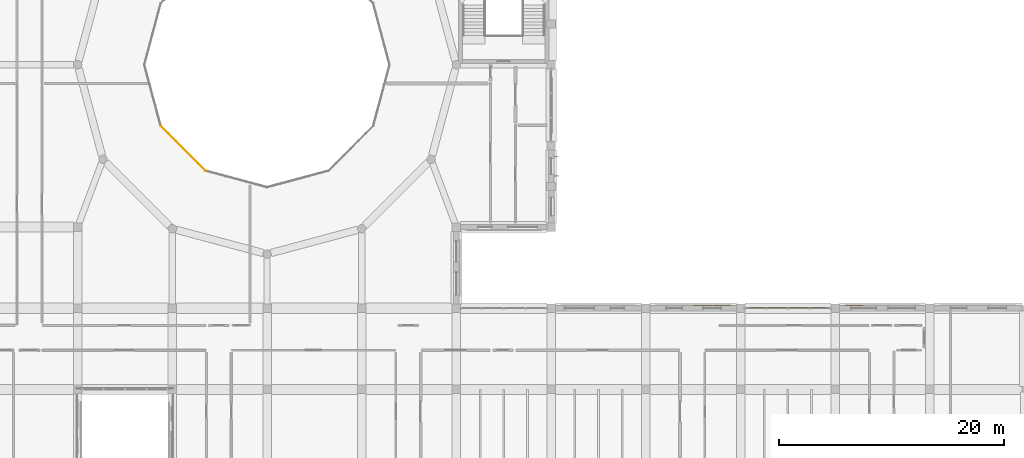
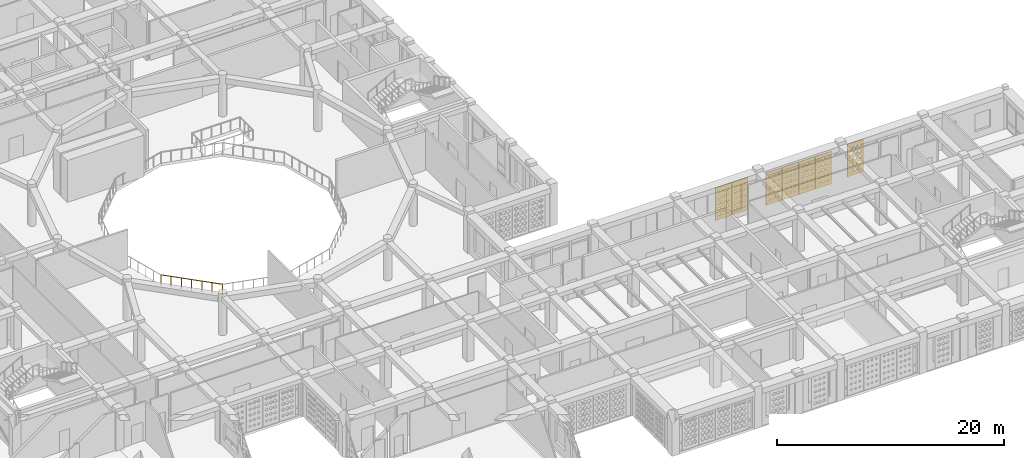
# One storey, part 90 of 111: 7 coverings, 1 railing.
"""IFC4 building model written with IfcOpenShell, lengths in metres."""

from ifc_helpers import new_model, si_unit, derived_unit, direction, frame, origin, origin_2d, place, context, subcontext, project, spatial, polyline, circle, outline, extrude, material, layer, layer_set, type_object, element, save


model = new_model("IFC4")

# Units and contexts
model_context = context("Model", 3, precision=1e-05, world=origin(), true_north=direction((0.0, 1.0)))
body_context = subcontext(model_context, "Body", "Model", "MODEL_VIEW")
ifc_project = project(units=[si_unit("LENGTHUNIT", "METRE"), si_unit("AREAUNIT", "SQUARE_METRE"), si_unit("VOLUMEUNIT", "CUBIC_METRE"), si_unit("PLANEANGLEUNIT", "RADIAN"), si_unit("MASSUNIT", "GRAM", prefix="KILO"), derived_unit("THERMALTRANSMITTANCEUNIT", [(si_unit("POWERUNIT", "WATT"), 1), (si_unit("LENGTHUNIT", "METRE"), -2), (si_unit("THERMODYNAMICTEMPERATUREUNIT", "KELVIN"), -1)])], contexts=[model_context])

# Site, building, storey
site_placement = place(None, origin())
site = spatial("IfcSite", under=ifc_project, at=site_placement, CompositionType="ELEMENT")
building_placement = place(site_placement, origin())
building = spatial("IfcBuilding", under=site, at=building_placement, Name="Veybourne Emporium", CompositionType="ELEMENT")
storey_placement = place(building_placement, frame((0.0, 0.0, 9.89990234375)))
storey = spatial("IfcBuildingStorey", under=building, at=storey_placement, Name="L02", CompositionType="ELEMENT", Elevation=9.89990234375)

# Railing
ifc_material_1 = material(Name="Patinated Architectural Bronze", Category="bronze")
railing_type = type_object("IfcRailingType", Name="Balustrade_BL-01", PredefinedType="BALUSTRADE", material=ifc_material_1)
railing_placement = place(storey_placement, frame((66.177734375, 44.9599609375, 0.0)))
element("IfcRailing", 1, at=railing_placement, inside=storey, type_object=railing_type, Name="L02 central atrium void balustrade 08", PredefinedType="BALUSTRADE", context=body_context, shape_type="SweptSolid", body=[
    extrude(circle(Radius=0.02392578125, at=origin_2d()), frame((0.0, 0.0, 1.1259765625), z_axis=(0.707085105755, -0.707128455954, 0.0), x_axis=(0.707128455954, 0.707085105755, 0.0)), (0.0, 0.0, 1.0), 5.6318359375),
    extrude(circle(Radius=0.02099609375, at=origin_2d()), origin(), (0.0, 0.0, 1.0), 1.101806640625),
    extrude(circle(Radius=0.02099609375, at=origin_2d()), frame((0.66357421875, -0.663818359375, 0.0)), (0.0, 0.0, 1.0), 1.101806640625),
    extrude(circle(Radius=0.02099609375, at=origin_2d()), frame((1.327392578125, -1.327392578125, 0.0)), (0.0, 0.0, 1.0), 1.101806640625),
    extrude(circle(Radius=0.02099609375, at=origin_2d()), frame((1.9912109375, -1.9912109375, 0.0)), (0.0, 0.0, 1.0), 1.101806640625),
    extrude(circle(Radius=0.02099609375, at=origin_2d()), frame((2.65478515625, -2.655029296875, 0.0)), (0.0, 0.0, 1.0), 1.101806640625),
    extrude(circle(Radius=0.02099609375, at=origin_2d()), frame((3.318359375, -3.318603515625, 0.0)), (0.0, 0.0, 1.0), 1.101806640625),
    extrude(circle(Radius=0.02099609375, at=origin_2d()), frame((3.982177734375, -3.982421875, 0.0)), (0.0, 0.0, 1.0), 1.101806640625),
])

# Coverings
ifc_material_2 = material(Name="Warm-White Perforated Aluminium Screen Alloy", Category="aluminium")
ifc_layer_1 = layer(ifc_material_2, 0.06005859375)
ifc_layer_set_1 = layer_set([ifc_layer_1], Name="Warm-White Perforated Aluminium Screen Alloy")
covering_type_1 = type_object("IfcCoveringType", Name="WaveScreen_SCR-01", PredefinedType="CLADDING", material=ifc_layer_set_1)
covering_1_placement = place(storey_placement, frame((124.320068359375, 28.8955078125, 1.815185546875), z_axis=(0.0, -1.0, 0.0), x_axis=(1.0, 0.0, 0.0)))
element("IfcCovering", 2, at=covering_1_placement, inside=storey, type_object=covering_type_1, Name="L02 wave-perforated aluminium screen SCR-01 (66C.4)", PredefinedType="CLADDING", context=body_context, shape_type="SweptSolid", body=[
    extrude(outline(polyline([(-0.81982421875, -1.7548828125), (0.81982421875, -1.7548828125), (0.81982421875, 1.7548828125), (-0.81982421875, 1.7548828125), (-0.81982421875, -1.7548828125)]), holes=[polyline([(-0.433349609375, -1.104248046875), (-0.322021484375, -1.183349609375), (-0.322021484375, -1.272705078125), (-0.433349609375, -1.351806640625), (-0.544677734375, -1.272705078125), (-0.544677734375, -1.183349609375), (-0.433349609375, -1.104248046875)]), polyline([(-0.433349609375, -0.4814453125), (-0.314697265625, -0.56640625), (-0.314697265625, -0.66162109375), (-0.433349609375, -0.74658203125), (-0.5517578125, -0.66162109375), (-0.5517578125, -0.56640625), (-0.433349609375, -0.4814453125)]), polyline([(-0.433349609375, 0.143310546875), (-0.30615234375, 0.051513671875), (-0.30615234375, -0.051513671875), (-0.433349609375, -0.143310546875), (-0.560546875, -0.051513671875), (-0.560546875, 0.051513671875), (-0.433349609375, 0.143310546875)]), polyline([(-0.433349609375, 0.769287109375), (-0.29638671875, 0.669921875), (-0.29638671875, 0.55810546875), (-0.433349609375, 0.458740234375), (-0.5703125, 0.55810546875), (-0.5703125, 0.669921875), (-0.433349609375, 0.769287109375)]), polyline([(-0.433349609375, 1.396484375), (-0.28564453125, 1.28857421875), (-0.28564453125, 1.16748046875), (-0.433349609375, 1.0595703125), (-0.5810546875, 1.16748046875), (-0.5810546875, 1.28857421875), (-0.433349609375, 1.396484375)]), polyline([(0.0, -1.100341796875), (0.114501953125, -1.18212890625), (0.114501953125, -1.27392578125), (0.0, -1.355712890625), (-0.114501953125, -1.27392578125), (-0.114501953125, -1.18212890625), (0.0, -1.100341796875)]), polyline([(0.0, -0.476806640625), (0.122314453125, -0.564697265625), (0.122314453125, -0.663330078125), (0.0, -0.751220703125), (-0.122314453125, -0.663330078125), (-0.122314453125, -0.564697265625), (0.0, -0.476806640625)]), polyline([(0.0, 0.1484375), (0.131591796875, 0.053466796875), (0.131591796875, -0.053466796875), (0.0, -0.1484375), (-0.131591796875, -0.053466796875), (-0.131591796875, 0.053466796875), (0.0, 0.1484375)]), polyline([(0.0, 0.775146484375), (0.141845703125, 0.672119140625), (0.141845703125, 0.555908203125), (0.0, 0.452880859375), (-0.141845703125, 0.555908203125), (-0.141845703125, 0.672119140625), (0.0, 0.775146484375)]), polyline([(0.0, 1.402587890625), (0.15283203125, 1.291015625), (0.15283203125, 1.1650390625), (0.0, 1.053466796875), (-0.15283203125, 1.1650390625), (-0.15283203125, 1.291015625), (0.0, 1.402587890625)]), polyline([(0.433349609375, -1.09619140625), (0.551025390625, -1.1806640625), (0.551025390625, -1.275390625), (0.433349609375, -1.359619140625), (0.315673828125, -1.275390625), (0.315673828125, -1.1806640625), (0.433349609375, -1.09619140625)]), polyline([(0.433349609375, -0.4716796875), (0.5595703125, -0.562744140625), (0.5595703125, -0.665283203125), (0.433349609375, -0.756103515625), (0.306884765625, -0.665283203125), (0.306884765625, -0.562744140625), (0.433349609375, -0.4716796875)]), polyline([(0.433349609375, 0.154052734375), (0.5693359375, 0.055419921875), (0.5693359375, -0.055419921875), (0.433349609375, -0.154052734375), (0.29736328125, -0.055419921875), (0.29736328125, 0.055419921875), (0.433349609375, 0.154052734375)]), polyline([(0.433349609375, 0.781005859375), (0.580078125, 0.67431640625), (0.580078125, 0.5537109375), (0.433349609375, 0.447021484375), (0.28662109375, 0.5537109375), (0.28662109375, 0.67431640625), (0.433349609375, 0.781005859375)]), polyline([(0.433349609375, 1.408935546875), (0.59130859375, 1.293212890625), (0.59130859375, 1.162841796875), (0.433349609375, 1.047119140625), (0.275390625, 1.162841796875), (0.275390625, 1.293212890625), (0.433349609375, 1.408935546875)])]), origin(), (0.0, 0.0, 1.0), 0.06005859375),
])
ifc_layer_2 = layer(ifc_material_2, 0.06005859375)
ifc_layer_set_2 = layer_set([ifc_layer_2], Name="Warm-White Perforated Aluminium Screen Alloy")
covering_type_2 = type_object("IfcCoveringType", Name="WaveScreen_SCR-02", PredefinedType="CLADDING", material=ifc_layer_set_2)
covering_2_placement = place(storey_placement, frame((114.239990234375, 29.09814453125, 1.815185546875), z_axis=(0.0, -1.0, 0.0), x_axis=(1.0, 0.0, 0.0)))
element("IfcCovering", 3, at=covering_2_placement, inside=storey, type_object=covering_type_2, Name="L02 wave-perforated aluminium screen SCR-02 (64.3)", PredefinedType="CLADDING", context=body_context, shape_type="SweptSolid", body=[
    extrude(outline(polyline([(-0.81982421875, -1.7548828125), (0.81982421875, -1.7548828125), (0.81982421875, 1.7548828125), (-0.81982421875, 1.7548828125), (-0.81982421875, -1.7548828125)]), holes=[polyline([(-0.433349609375, -1.066162109375), (-0.290771484375, -1.169677734375), (-0.290771484375, -1.286376953125), (-0.433349609375, -1.389892578125), (-0.57568359375, -1.286376953125), (-0.57568359375, -1.169677734375), (-0.433349609375, -1.066162109375)]), polyline([(-0.433349609375, -0.464599609375), (-0.30126953125, -0.560302734375), (-0.30126953125, -0.667724609375), (-0.433349609375, -0.76318359375), (-0.5654296875, -0.667724609375), (-0.5654296875, -0.560302734375), (-0.433349609375, -0.464599609375)]), polyline([(-0.433349609375, 0.137939453125), (-0.310546875, 0.049560546875), (-0.310546875, -0.049560546875), (-0.433349609375, -0.137939453125), (-0.55615234375, -0.049560546875), (-0.55615234375, 0.049560546875), (-0.433349609375, 0.137939453125)]), polyline([(-0.433349609375, 0.7421875), (-0.318603515625, 0.66015625), (-0.318603515625, 0.56787109375), (-0.433349609375, 0.48583984375), (-0.548095703125, 0.56787109375), (-0.548095703125, 0.66015625), (-0.433349609375, 0.7421875)]), polyline([(-0.433349609375, 1.34814453125), (-0.324951171875, 1.271240234375), (-0.324951171875, 1.184814453125), (-0.433349609375, 1.10791015625), (-0.541748046875, 1.184814453125), (-0.541748046875, 1.271240234375), (-0.433349609375, 1.34814453125)]), polyline([(0.0, -1.072021484375), (0.1376953125, -1.171875), (0.1376953125, -1.2841796875), (0.0, -1.384033203125), (-0.1376953125, -1.2841796875), (-0.1376953125, -1.171875), (0.0, -1.072021484375)]), polyline([(0.0, -0.47021484375), (0.127685546875, -0.562255859375), (0.127685546875, -0.665771484375), (0.0, -0.7578125), (-0.127685546875, -0.665771484375), (-0.127685546875, -0.562255859375), (0.0, -0.47021484375)]), polyline([(0.0, 0.13330078125), (0.118896484375, 0.048095703125), (0.118896484375, -0.048095703125), (0.0, -0.13330078125), (-0.118896484375, -0.048095703125), (-0.118896484375, 0.048095703125), (0.0, 0.13330078125)]), polyline([(0.0, 0.73828125), (0.11181640625, 0.65869140625), (0.11181640625, 0.5693359375), (0.0, 0.48974609375), (-0.11181640625, 0.5693359375), (-0.11181640625, 0.65869140625), (0.0, 0.73828125)]), polyline([(0.0, 1.345458984375), (0.10595703125, 1.270263671875), (0.10595703125, 1.185791015625), (0.0, 1.110595703125), (-0.10595703125, 1.185791015625), (-0.10595703125, 1.270263671875), (0.0, 1.345458984375)]), polyline([(0.433349609375, -1.07763671875), (0.56640625, -1.173828125), (0.56640625, -1.281982421875), (0.433349609375, -1.37841796875), (0.30029296875, -1.281982421875), (0.30029296875, -1.173828125), (0.433349609375, -1.07763671875)]), polyline([(0.433349609375, -0.47509765625), (0.556884765625, -0.56396484375), (0.556884765625, -0.6640625), (0.433349609375, -0.7529296875), (0.309814453125, -0.6640625), (0.309814453125, -0.56396484375), (0.433349609375, -0.47509765625)]), polyline([(0.433349609375, 0.12890625), (0.548828125, 0.04638671875), (0.548828125, -0.04638671875), (0.433349609375, -0.12890625), (0.31787109375, -0.04638671875), (0.31787109375, 0.04638671875), (0.433349609375, 0.12890625)]), polyline([(0.433349609375, 0.73486328125), (0.542236328125, 0.657470703125), (0.542236328125, 0.570556640625), (0.433349609375, 0.4931640625), (0.324462890625, 0.570556640625), (0.324462890625, 0.657470703125), (0.433349609375, 0.73486328125)]), polyline([(0.433349609375, 1.343017578125), (0.537353515625, 1.269287109375), (0.537353515625, 1.1865234375), (0.433349609375, 1.113037109375), (0.329345703125, 1.1865234375), (0.329345703125, 1.269287109375), (0.433349609375, 1.343017578125)])]), origin(), (0.0, 0.0, 1.0), 0.06005859375),
])
covering_3_placement = place(storey_placement, frame((119.280029296875, 28.8955078125, 1.815185546875), z_axis=(0.0, -1.0, 0.0), x_axis=(1.0, 0.0, 0.0)))
element("IfcCovering", 4, at=covering_3_placement, inside=storey, type_object=covering_type_2, Name="L02 wave-perforated aluminium screen SCR-02 (66C.1)", PredefinedType="CLADDING", context=body_context, shape_type="SweptSolid", body=[
    extrude(outline(polyline([(-0.81982421875, -1.7548828125), (0.81982421875, -1.7548828125), (0.81982421875, 1.7548828125), (-0.81982421875, 1.7548828125), (-0.81982421875, -1.7548828125)]), holes=[polyline([(-0.433349609375, -1.11376953125), (-0.329833984375, -1.18701171875), (-0.329833984375, -1.26904296875), (-0.433349609375, -1.34228515625), (-0.536865234375, -1.26904296875), (-0.536865234375, -1.18701171875), (-0.433349609375, -1.11376953125)]), polyline([(-0.433349609375, -0.503173828125), (-0.33251953125, -0.57421875), (-0.33251953125, -0.65380859375), (-0.433349609375, -0.724853515625), (-0.5341796875, -0.65380859375), (-0.5341796875, -0.57421875), (-0.433349609375, -0.503173828125)]), polyline([(-0.433349609375, 0.110107421875), (-0.333251953125, 0.03955078125), (-0.333251953125, -0.03955078125), (-0.433349609375, -0.110107421875), (-0.533447265625, -0.03955078125), (-0.533447265625, 0.03955078125), (-0.433349609375, 0.110107421875)]), polyline([(-0.433349609375, 0.7255859375), (-0.33203125, 0.654296875), (-0.33203125, 0.57373046875), (-0.433349609375, 0.50244140625), (-0.53466796875, 0.57373046875), (-0.53466796875, 0.654296875), (-0.433349609375, 0.7255859375)]), polyline([(-0.433349609375, 1.343505859375), (-0.328857421875, 1.26953125), (-0.328857421875, 1.186279296875), (-0.433349609375, 1.112548828125), (-0.537841796875, 1.186279296875), (-0.537841796875, 1.26953125), (-0.433349609375, 1.343505859375)]), polyline([(0.0, -1.115478515625), (0.10205078125, -1.1875), (0.10205078125, -1.2685546875), (0.0, -1.34033203125), (-0.10205078125, -1.2685546875), (-0.10205078125, -1.1875), (0.0, -1.115478515625)]), polyline([(0.0, -0.50390625), (0.10009765625, -0.57421875), (0.10009765625, -0.65380859375), (0.0, -0.72412109375), (-0.10009765625, -0.65380859375), (-0.10009765625, -0.57421875), (0.0, -0.50390625)]), polyline([(0.0, 0.1103515625), (0.100341796875, 0.039794921875), (0.100341796875, -0.039794921875), (0.0, -0.1103515625), (-0.100341796875, -0.039794921875), (-0.100341796875, 0.039794921875), (0.0, 0.1103515625)]), polyline([(0.0, 0.72705078125), (0.1025390625, 0.65478515625), (0.1025390625, 0.5732421875), (0.0, 0.5009765625), (-0.1025390625, 0.5732421875), (-0.1025390625, 0.65478515625), (0.0, 0.72705078125)]), polyline([(0.0, 1.345947265625), (0.106689453125, 1.2705078125), (0.106689453125, 1.185546875), (0.0, 1.110107421875), (-0.106689453125, 1.185546875), (-0.106689453125, 1.2705078125), (0.0, 1.345947265625)]), polyline([(0.433349609375, -1.116943359375), (0.5341796875, -1.18798828125), (0.5341796875, -1.26806640625), (0.433349609375, -1.339111328125), (0.33251953125, -1.26806640625), (0.33251953125, -1.18798828125), (0.433349609375, -1.116943359375)]), polyline([(0.433349609375, -0.50390625), (0.533203125, -0.574462890625), (0.533203125, -0.653564453125), (0.433349609375, -0.72412109375), (0.333251953125, -0.653564453125), (0.333251953125, -0.574462890625), (0.433349609375, -0.50390625)]), polyline([(0.433349609375, 0.111328125), (0.534423828125, 0.0400390625), (0.534423828125, -0.0400390625), (0.433349609375, -0.111328125), (0.332275390625, -0.0400390625), (0.332275390625, 0.0400390625), (0.433349609375, 0.111328125)]), polyline([(0.433349609375, 0.72900390625), (0.53759765625, 0.655517578125), (0.53759765625, 0.572509765625), (0.433349609375, 0.4990234375), (0.3291015625, 0.572509765625), (0.3291015625, 0.655517578125), (0.433349609375, 0.72900390625)]), polyline([(0.433349609375, 1.34912109375), (0.54248046875, 1.271484375), (0.54248046875, 1.184326171875), (0.433349609375, 1.10693359375), (0.32421875, 1.184326171875), (0.32421875, 1.271484375), (0.433349609375, 1.34912109375)])]), origin(), (0.0, 0.0, 1.0), 0.06005859375),
])
ifc_layer_3 = layer(ifc_material_2, 0.06005859375)
ifc_layer_set_3 = layer_set([ifc_layer_3], Name="Warm-White Perforated Aluminium Screen Alloy")
covering_type_3 = type_object("IfcCoveringType", Name="WaveScreen_SCR-03", PredefinedType="CLADDING", material=ifc_layer_set_3)
covering_4_placement = place(storey_placement, frame((115.919921875, 29.09814453125, 1.815185546875), z_axis=(0.0, -1.0, 0.0), x_axis=(1.0, 0.0, 0.0)))
element("IfcCovering", 5, at=covering_4_placement, inside=storey, type_object=covering_type_3, Name="L02 wave-perforated aluminium screen SCR-03 (64.4)", PredefinedType="CLADDING", context=body_context, shape_type="SweptSolid", body=[
    extrude(outline(polyline([(-0.81982421875, -1.7548828125), (0.81982421875, -1.7548828125), (0.81982421875, 1.7548828125), (-0.81982421875, 1.7548828125), (-0.81982421875, -1.7548828125)]), holes=[polyline([(-0.433349609375, -1.08740234375), (-0.308349609375, -1.177490234375), (-0.308349609375, -1.278564453125), (-0.433349609375, -1.368408203125), (-0.558349609375, -1.278564453125), (-0.558349609375, -1.177490234375), (-0.433349609375, -1.08740234375)]), polyline([(-0.433349609375, -0.483642578125), (-0.316650390625, -0.567138671875), (-0.316650390625, -0.660888671875), (-0.433349609375, -0.744384765625), (-0.550048828125, -0.660888671875), (-0.550048828125, -0.567138671875), (-0.433349609375, -0.483642578125)]), polyline([(-0.433349609375, 0.1220703125), (-0.323486328125, 0.0439453125), (-0.323486328125, -0.0439453125), (-0.433349609375, -0.1220703125), (-0.543212890625, -0.0439453125), (-0.543212890625, 0.0439453125), (-0.433349609375, 0.1220703125)]), polyline([(-0.433349609375, 0.729736328125), (-0.32861328125, 0.655517578125), (-0.32861328125, 0.572509765625), (-0.433349609375, 0.498291015625), (-0.5380859375, 0.572509765625), (-0.5380859375, 0.655517578125), (-0.433349609375, 0.729736328125)]), polyline([(-0.433349609375, 1.339599609375), (-0.33203125, 1.268310546875), (-0.33203125, 1.187744140625), (-0.433349609375, 1.1162109375), (-0.53466796875, 1.187744140625), (-0.53466796875, 1.268310546875), (-0.433349609375, 1.339599609375)]), polyline([(0.0, -1.09228515625), (0.12109375, -1.17919921875), (0.12109375, -1.27685546875), (0.0, -1.36376953125), (-0.12109375, -1.27685546875), (-0.12109375, -1.17919921875), (0.0, -1.09228515625)]), polyline([(0.0, -0.48779296875), (0.11328125, -0.568603515625), (0.11328125, -0.659423828125), (0.0, -0.740234375), (-0.11328125, -0.659423828125), (-0.11328125, -0.568603515625), (0.0, -0.48779296875)]), polyline([(0.0, 0.118896484375), (0.107177734375, 0.042724609375), (0.107177734375, -0.042724609375), (0.0, -0.118896484375), (-0.107177734375, -0.042724609375), (-0.107177734375, 0.042724609375), (0.0, 0.118896484375)]), polyline([(0.0, 0.7275390625), (0.102783203125, 0.65478515625), (0.102783203125, 0.572998046875), (0.0, 0.50048828125), (-0.102783203125, 0.572998046875), (-0.102783203125, 0.65478515625), (0.0, 0.7275390625)]), polyline([(0.0, 1.338623046875), (0.1005859375, 1.267822265625), (0.1005859375, 1.188232421875), (0.0, 1.117431640625), (-0.1005859375, 1.188232421875), (-0.1005859375, 1.267822265625), (0.0, 1.338623046875)]), polyline([(0.433349609375, -1.0966796875), (0.55078125, -1.180908203125), (0.55078125, -1.275146484375), (0.433349609375, -1.359130859375), (0.31591796875, -1.275146484375), (0.31591796875, -1.180908203125), (0.433349609375, -1.0966796875)]), polyline([(0.433349609375, -0.491455078125), (0.543701171875, -0.56982421875), (0.543701171875, -0.658203125), (0.433349609375, -0.736572265625), (0.322998046875, -0.658203125), (0.322998046875, -0.56982421875), (0.433349609375, -0.491455078125)]), polyline([(0.433349609375, 0.1162109375), (0.538330078125, 0.041748046875), (0.538330078125, -0.041748046875), (0.433349609375, -0.1162109375), (0.328369140625, -0.041748046875), (0.328369140625, 0.041748046875), (0.433349609375, 0.1162109375)]), polyline([(0.433349609375, 0.725830078125), (0.534912109375, 0.654296875), (0.534912109375, 0.57373046875), (0.433349609375, 0.502197265625), (0.331787109375, 0.57373046875), (0.331787109375, 0.654296875), (0.433349609375, 0.725830078125)]), polyline([(0.433349609375, 1.338134765625), (0.533447265625, 1.267578125), (0.533447265625, 1.1884765625), (0.433349609375, 1.117919921875), (0.333251953125, 1.1884765625), (0.333251953125, 1.267578125), (0.433349609375, 1.338134765625)])]), origin(), (0.0, 0.0, 1.0), 0.06005859375),
])
covering_5_placement = place(storey_placement, frame((120.9599609375, 28.8955078125, 1.815185546875), z_axis=(0.0, -1.0, 0.0), x_axis=(1.0, 0.0, 0.0)))
element("IfcCovering", 6, at=covering_5_placement, inside=storey, type_object=covering_type_3, Name="L02 wave-perforated aluminium screen SCR-03 (66C.2)", PredefinedType="CLADDING", context=body_context, shape_type="SweptSolid", body=[
    extrude(outline(polyline([(-0.81982421875, -1.7548828125), (0.81982421875, -1.7548828125), (0.81982421875, 1.7548828125), (-0.81982421875, 1.7548828125), (-0.81982421875, -1.7548828125)]), holes=[polyline([(-0.433349609375, -1.117919921875), (-0.333251953125, -1.1884765625), (-0.333251953125, -1.267578125), (-0.433349609375, -1.337890625), (-0.533203125, -1.267578125), (-0.533203125, -1.1884765625), (-0.433349609375, -1.117919921875)]), polyline([(-0.433349609375, -0.5029296875), (-0.33251953125, -0.573974609375), (-0.33251953125, -0.654052734375), (-0.433349609375, -0.72509765625), (-0.5341796875, -0.654052734375), (-0.5341796875, -0.573974609375), (-0.433349609375, -0.5029296875)]), polyline([(-0.433349609375, 0.1142578125), (-0.329833984375, 0.041259765625), (-0.329833984375, -0.041259765625), (-0.433349609375, -0.1142578125), (-0.536865234375, -0.041259765625), (-0.536865234375, 0.041259765625), (-0.433349609375, 0.1142578125)]), polyline([(-0.433349609375, 0.73388671875), (-0.3251953125, 0.6572265625), (-0.3251953125, 0.57080078125), (-0.433349609375, 0.493896484375), (-0.54150390625, 0.57080078125), (-0.54150390625, 0.6572265625), (-0.433349609375, 0.73388671875)]), polyline([(-0.433349609375, 1.355712890625), (-0.31884765625, 1.27392578125), (-0.31884765625, 1.181884765625), (-0.433349609375, 1.10009765625), (-0.5478515625, 1.181884765625), (-0.5478515625, 1.27392578125), (-0.433349609375, 1.355712890625)]), polyline([(0.0, -1.117919921875), (0.10009765625, -1.188232421875), (0.10009765625, -1.267578125), (0.0, -1.338134765625), (-0.10009765625, -1.267578125), (-0.10009765625, -1.188232421875), (0.0, -1.117919921875)]), polyline([(0.0, -0.501708984375), (0.101806640625, -0.573486328125), (0.101806640625, -0.654296875), (0.0, -0.726318359375), (-0.101806640625, -0.654296875), (-0.101806640625, -0.573486328125), (0.0, -0.501708984375)]), polyline([(0.0, 0.11669921875), (0.10546875, 0.0419921875), (0.10546875, -0.0419921875), (0.0, -0.11669921875), (-0.10546875, -0.0419921875), (-0.10546875, 0.0419921875), (0.0, 0.11669921875)]), polyline([(0.0, 0.7373046875), (0.11083984375, 0.658447265625), (0.11083984375, 0.569580078125), (0.0, 0.49072265625), (-0.11083984375, 0.569580078125), (-0.11083984375, 0.658447265625), (0.0, 0.7373046875)]), polyline([(0.0, 1.360107421875), (0.117919921875, 1.275390625), (0.117919921875, 1.180419921875), (0.0, 1.095947265625), (-0.117919921875, 1.180419921875), (-0.117919921875, 1.275390625), (0.0, 1.360107421875)]), polyline([(0.433349609375, -1.1171875), (0.533935546875, -1.18798828125), (0.533935546875, -1.267822265625), (0.433349609375, -1.3388671875), (0.332763671875, -1.267822265625), (0.332763671875, -1.18798828125), (0.433349609375, -1.1171875)]), polyline([(0.433349609375, -0.5), (0.53662109375, -0.572998046875), (0.53662109375, -0.655029296875), (0.433349609375, -0.727783203125), (0.330078125, -0.655029296875), (0.330078125, -0.572998046875), (0.433349609375, -0.5)]), polyline([(0.433349609375, 0.119384765625), (0.541015625, 0.04296875), (0.541015625, -0.04296875), (0.433349609375, -0.119384765625), (0.32568359375, -0.04296875), (0.32568359375, 0.04296875), (0.433349609375, 0.119384765625)]), polyline([(0.433349609375, 0.740966796875), (0.547119140625, 0.65966796875), (0.547119140625, 0.568359375), (0.433349609375, 0.487060546875), (0.3193359375, 0.568359375), (0.3193359375, 0.65966796875), (0.433349609375, 0.740966796875)]), polyline([(0.433349609375, 1.364501953125), (0.55517578125, 1.277099609375), (0.55517578125, 1.1787109375), (0.433349609375, 1.091552734375), (0.3115234375, 1.1787109375), (0.3115234375, 1.277099609375), (0.433349609375, 1.364501953125)])]), origin(), (0.0, 0.0, 1.0), 0.06005859375),
])
ifc_layer_4 = layer(ifc_material_2, 0.06005859375)
ifc_layer_set_4 = layer_set([ifc_layer_4], Name="Warm-White Perforated Aluminium Screen Alloy")
covering_type_4 = type_object("IfcCoveringType", Name="WaveScreen_SCR-04", PredefinedType="CLADDING", material=ifc_layer_set_4)
covering_6_placement = place(storey_placement, frame((122.639892578125, 28.8955078125, 1.815185546875), z_axis=(0.0, -1.0, 0.0), x_axis=(1.0, 0.0, 0.0)))
element("IfcCovering", 7, at=covering_6_placement, inside=storey, type_object=covering_type_4, Name="L02 wave-perforated aluminium screen SCR-04 (66C.3)", PredefinedType="CLADDING", context=body_context, shape_type="SweptSolid", body=[
    extrude(outline(polyline([(-0.81982421875, -1.7548828125), (0.81982421875, -1.7548828125), (0.81982421875, 1.7548828125), (-0.81982421875, 1.7548828125), (-0.81982421875, -1.7548828125)]), holes=[polyline([(-0.433349609375, -1.11474609375), (-0.33056640625, -1.187255859375), (-0.33056640625, -1.268798828125), (-0.433349609375, -1.34130859375), (-0.535888671875, -1.268798828125), (-0.535888671875, -1.187255859375), (-0.433349609375, -1.11474609375)]), polyline([(-0.433349609375, -0.49560546875), (-0.326416015625, -0.5712890625), (-0.326416015625, -0.656494140625), (-0.433349609375, -0.732421875), (-0.540283203125, -0.656494140625), (-0.540283203125, -0.5712890625), (-0.433349609375, -0.49560546875)]), polyline([(-0.433349609375, 0.125732421875), (-0.320556640625, 0.04541015625), (-0.320556640625, -0.04541015625), (-0.433349609375, -0.125732421875), (-0.546142578125, -0.04541015625), (-0.546142578125, 0.04541015625), (-0.433349609375, 0.125732421875)]), polyline([(-0.433349609375, 0.7490234375), (-0.31298828125, 0.66259765625), (-0.31298828125, 0.5654296875), (-0.433349609375, 0.47900390625), (-0.5537109375, 0.5654296875), (-0.5537109375, 0.66259765625), (-0.433349609375, 0.7490234375)]), polyline([(-0.433349609375, 1.3740234375), (-0.303955078125, 1.280517578125), (-0.303955078125, 1.17529296875), (-0.433349609375, 1.08203125), (-0.562744140625, 1.17529296875), (-0.562744140625, 1.280517578125), (-0.433349609375, 1.3740234375)]), polyline([(0.0, -1.112548828125), (0.1044921875, -1.1865234375), (0.1044921875, -1.26953125), (0.0, -1.343505859375), (-0.1044921875, -1.26953125), (-0.1044921875, -1.1865234375), (0.0, -1.112548828125)]), polyline([(0.0, -0.492431640625), (0.109375, -0.5703125), (0.109375, -0.65771484375), (0.0, -0.735595703125), (-0.109375, -0.65771484375), (-0.109375, -0.5703125), (0.0, -0.492431640625)]), polyline([(0.0, 0.129638671875), (0.1162109375, 0.046630859375), (0.1162109375, -0.046630859375), (0.0, -0.129638671875), (-0.1162109375, -0.046630859375), (-0.1162109375, 0.046630859375), (0.0, 0.129638671875)]), polyline([(0.0, 0.75390625), (0.12451171875, 0.664306640625), (0.12451171875, 0.563720703125), (0.0, 0.47412109375), (-0.12451171875, 0.563720703125), (-0.12451171875, 0.664306640625), (0.0, 0.75390625)]), polyline([(0.0, 1.37939453125), (0.1337890625, 1.282470703125), (0.1337890625, 1.173583984375), (0.0, 1.07666015625), (-0.1337890625, 1.173583984375), (-0.1337890625, 1.282470703125), (0.0, 1.37939453125)]), polyline([(0.433349609375, -1.110107421875), (0.539794921875, -1.185546875), (0.539794921875, -1.2705078125), (0.433349609375, -1.345947265625), (0.326904296875, -1.2705078125), (0.326904296875, -1.185546875), (0.433349609375, -1.110107421875)]), polyline([(0.433349609375, -0.489013671875), (0.545654296875, -0.569091796875), (0.545654296875, -0.658935546875), (0.433349609375, -0.739013671875), (0.321044921875, -0.658935546875), (0.321044921875, -0.569091796875), (0.433349609375, -0.489013671875)]), polyline([(0.433349609375, 0.134033203125), (0.552978515625, 0.04833984375), (0.552978515625, -0.04833984375), (0.433349609375, -0.134033203125), (0.313720703125, -0.04833984375), (0.313720703125, 0.04833984375), (0.433349609375, 0.134033203125)]), polyline([(0.433349609375, 0.7587890625), (0.56201171875, 0.666259765625), (0.56201171875, 0.561767578125), (0.433349609375, 0.468994140625), (0.3046875, 0.561767578125), (0.3046875, 0.666259765625), (0.433349609375, 0.7587890625)]), polyline([(0.433349609375, 1.385009765625), (0.572021484375, 1.28466796875), (0.572021484375, 1.17138671875), (0.433349609375, 1.07080078125), (0.294921875, 1.17138671875), (0.294921875, 1.28466796875), (0.433349609375, 1.385009765625)])]), origin(), (0.0, 0.0, 1.0), 0.06005859375),
])
covering_7_placement = place(storey_placement, frame((127.679931640625, 29.09814453125, 1.815185546875), z_axis=(0.0, -1.0, 0.0), x_axis=(1.0, 0.0, 0.0)))
element("IfcCovering", 8, at=covering_7_placement, inside=storey, type_object=covering_type_4, Name="L02 wave-perforated aluminium screen SCR-04 (68.1)", PredefinedType="CLADDING", context=body_context, shape_type="SweptSolid", body=[
    extrude(outline(polyline([(-0.81982421875, -1.7548828125), (0.81982421875, -1.7548828125), (0.81982421875, 1.7548828125), (-0.81982421875, 1.7548828125), (-0.81982421875, -1.7548828125)]), holes=[polyline([(-0.433349609375, -1.063232421875), (-0.28857421875, -1.168701171875), (-0.28857421875, -1.287353515625), (-0.433349609375, -1.392822265625), (-0.578125, -1.287353515625), (-0.578125, -1.168701171875), (-0.433349609375, -1.063232421875)]), polyline([(-0.433349609375, -0.435546875), (-0.27734375, -0.5498046875), (-0.27734375, -0.67822265625), (-0.433349609375, -0.79248046875), (-0.58935546875, -0.67822265625), (-0.58935546875, -0.5498046875), (-0.433349609375, -0.435546875)]), polyline([(-0.433349609375, 0.192626953125), (-0.265869140625, 0.0693359375), (-0.265869140625, -0.0693359375), (-0.433349609375, -0.192626953125), (-0.600830078125, -0.0693359375), (-0.600830078125, 0.0693359375), (-0.433349609375, 0.192626953125)]), polyline([(-0.433349609375, 0.82080078125), (-0.254150390625, 0.6884765625), (-0.254150390625, 0.53955078125), (-0.433349609375, 0.4072265625), (-0.6123046875, 0.53955078125), (-0.6123046875, 0.6884765625), (-0.433349609375, 0.82080078125)]), polyline([(-0.433349609375, 1.448486328125), (-0.2470703125, 1.307373046875), (-0.2470703125, 1.148681640625), (-0.433349609375, 1.007568359375), (-0.61962890625, 1.148681640625), (-0.61962890625, 1.307373046875), (-0.433349609375, 1.448486328125)]), polyline([(0.0, -1.05712890625), (0.14990234375, -1.16650390625), (0.14990234375, -1.28955078125), (0.0, -1.39892578125), (-0.14990234375, -1.28955078125), (-0.14990234375, -1.16650390625), (0.0, -1.05712890625)]), polyline([(0.0, -0.42919921875), (0.1611328125, -0.547607421875), (0.1611328125, -0.680419921875), (0.0, -0.798828125), (-0.1611328125, -0.680419921875), (-0.1611328125, -0.547607421875), (0.0, -0.42919921875)]), polyline([(0.0, 0.198974609375), (0.1728515625, 0.071533203125), (0.1728515625, -0.071533203125), (0.0, -0.198974609375), (-0.1728515625, -0.071533203125), (-0.1728515625, 0.071533203125), (0.0, 0.198974609375)]), polyline([(0.0, 0.826904296875), (0.184326171875, 0.690673828125), (0.184326171875, 0.537353515625), (0.0, 0.40087890625), (-0.184326171875, 0.537353515625), (-0.184326171875, 0.690673828125), (0.0, 0.826904296875)]), polyline([(0.0, 1.454345703125), (0.186279296875, 1.3095703125), (0.186279296875, 1.146484375), (0.0, 1.001708984375), (-0.186279296875, 1.146484375), (-0.186279296875, 1.3095703125), (0.0, 1.454345703125)]), polyline([(0.433349609375, -1.05078125), (0.58837890625, -1.164306640625), (0.58837890625, -1.291748046875), (0.433349609375, -1.4052734375), (0.2783203125, -1.291748046875), (0.2783203125, -1.164306640625), (0.433349609375, -1.05078125)]), polyline([(0.433349609375, -0.422607421875), (0.599853515625, -0.545166015625), (0.599853515625, -0.682861328125), (0.433349609375, -0.805419921875), (0.266845703125, -0.682861328125), (0.266845703125, -0.545166015625), (0.433349609375, -0.422607421875)]), polyline([(0.433349609375, 0.205322265625), (0.611328125, 0.073974609375), (0.611328125, -0.073974609375), (0.433349609375, -0.205322265625), (0.25537109375, -0.073974609375), (0.25537109375, 0.073974609375), (0.433349609375, 0.205322265625)]), polyline([(0.433349609375, 0.8330078125), (0.61962890625, 0.69287109375), (0.61962890625, 0.53515625), (0.433349609375, 0.39501953125), (0.2470703125, 0.53515625), (0.2470703125, 0.69287109375), (0.433349609375, 0.8330078125)]), polyline([(0.433349609375, 1.460205078125), (0.61962890625, 1.3115234375), (0.61962890625, 1.144287109375), (0.433349609375, 0.995849609375), (0.2470703125, 1.144287109375), (0.2470703125, 1.3115234375), (0.433349609375, 1.460205078125)])]), origin(), (0.0, 0.0, 1.0), 0.06005859375),
])

save(model, "model.ifc")
